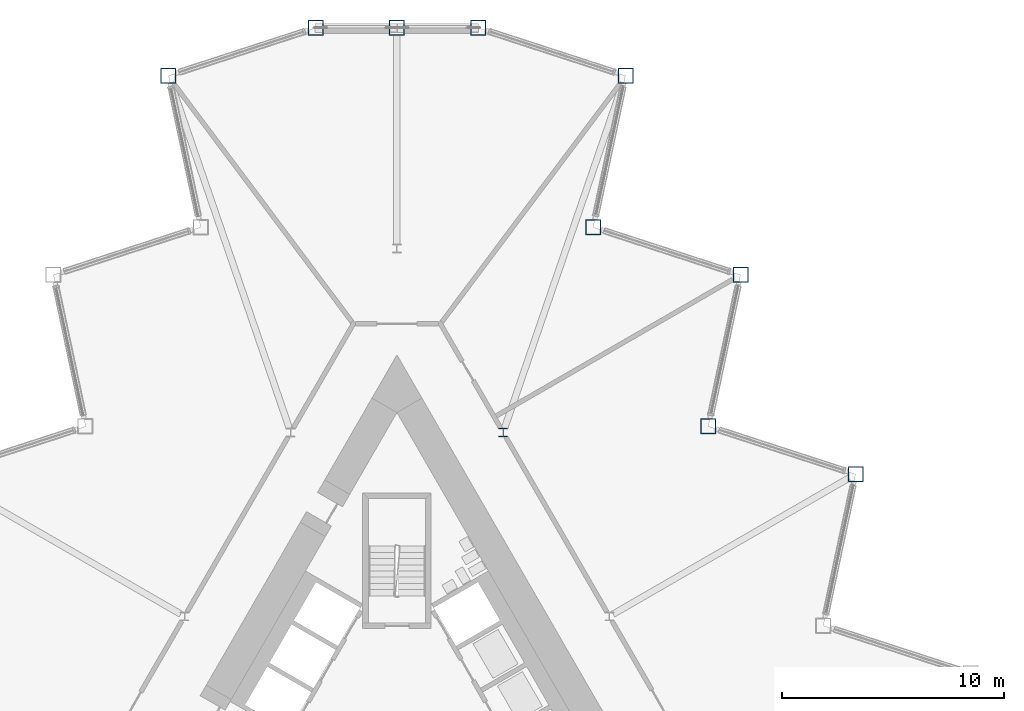
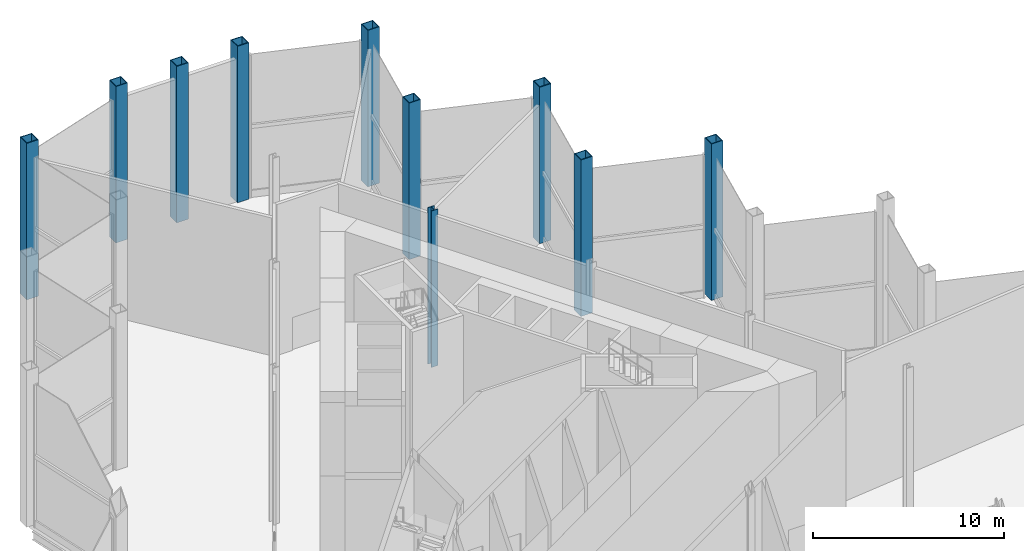
# One storey, part 3 of 17: 10 columns.
"""IFC4 building model written with IfcOpenShell, lengths in metres."""

from ifc_helpers import new_model, si_unit, direction, frame, origin, origin_2d, place, context, subcontext, project, spatial, hollow_rectangle, i_section, extrude, material, material_profile, profile_set, type_object, element, save


model = new_model("IFC4")

# Units and contexts
model_context = context("Model", 3, precision=1e-05, world=origin(), true_north=direction((0.0, 1.0)))
body_context = subcontext(model_context, "Body", "Model", "MODEL_VIEW")
ifc_project = project(units=[si_unit("LENGTHUNIT", "METRE"), si_unit("AREAUNIT", "SQUARE_METRE"), si_unit("VOLUMEUNIT", "CUBIC_METRE"), si_unit("PLANEANGLEUNIT", "RADIAN"), si_unit("MASSUNIT", "GRAM", prefix="KILO")], contexts=[model_context])

# Site, building, storey
site_placement = place(None, origin())
site = spatial("IfcSite", under=ifc_project, at=site_placement, CompositionType="ELEMENT")
building_placement = place(site_placement, origin())
building = spatial("IfcBuilding", under=site, at=building_placement, Name="Cormorant Prow Tower", CompositionType="ELEMENT")
storey_placement = place(building_placement, frame((0.0, 0.0, 277.800048828125)))
storey = spatial("IfcBuildingStorey", under=building, at=storey_placement, Name="L63", CompositionType="ELEMENT", Elevation=277.800048828125)

# Columns
ifc_material_1 = material(Name="Structural steel ASTM A572 Gr 50", Category="steel")
ifc_material_profile_1 = material_profile(ifc_material_1, hollow_rectangle(XDim=0.699951171875, YDim=0.699951171875, WallThickness=0.044921875, at=origin_2d()), Name="Box 700x700x45")
ifc_profile_set_1 = profile_set([ifc_material_profile_1], Name="Structural steel ASTM A572 Gr 50")
column_type_1 = type_object("IfcColumnType", Name="Perimeter box column 700x700x45", PredefinedType="COLUMN", material=ifc_profile_set_1)
for number, where, z_axis, x_axis, name in (
    (1, (20.686767578125, 11.943359375, 0.0), (0.0, 0.0, 1.0), (1.0, 0.0, 0.0), "Perimeter column C5 at ENE05 L63"),
    (2, (14.046875, 14.100830078125, 0.0), (0.0, 0.0, 1.0), (1.0, 0.0, 0.0), "Perimeter column C5 at ENE06 L63"),
    (3, (15.49853515625, 20.9296875, 0.0), (0.0, 0.0, 1.0), (1.0, 0.0, 0.0), "Perimeter column C5 at ENE07 L63"),
    (4, (8.858642578125, 23.087158203125, 0.0), (0.0, 0.0, 1.0), (1.0, 0.0, 0.0), "Perimeter column C5 at ENE08 L63"),
    (5, (10.310302734375, 29.916015625, 0.0), (0.0, 0.0, 1.0), (1.0, 0.0, 0.0), "Perimeter column C5 at ENE09 L63"),
    (6, (3.67041015625, 32.073486328125, 0.0), (0.0, 0.0, 1.0), (1.0, 0.0, 0.0), "Perimeter column C5 at N00 L63"),
    (7, (0.0, 32.073486328125, 0.0), (0.0, 0.0, 1.0), (1.0, 0.0, 0.0), "Perimeter column C5 at N01 L63"),
    (8, (-3.67041015625, 32.073486328125, 0.0), (0.0, 0.0, 1.0), (1.0, 0.0, 0.0), "Perimeter column C5 at WNW00 L63"),
    (9, (-10.310302734375, 29.916015625, 0.0), (0.0, 0.0, 1.0), (1.0, 0.0, 0.0), "Perimeter column C5 at WNW01 L63"),
):
    element("IfcColumn", number, at=place(storey_placement, frame(where, z_axis=z_axis, x_axis=x_axis)), inside=storey, type_object=column_type_1, Name=name, PredefinedType="COLUMN", context=body_context, shape_type="SweptSolid", body=[
        extrude(hollow_rectangle(XDim=0.699951171875, YDim=0.699951171875, WallThickness=0.044921875, at=origin_2d()), origin(), (0.0, 0.0, 1.0), 10.0),
    ])
ifc_material_2 = material(Name="Structural steel ASTM A992 Gr 50", Category="steel")
ifc_material_profile_2 = material_profile(ifc_material_2, i_section(OverallWidth=0.39892578125, OverallDepth=0.393310546875, WebThickness=0.022705078125, FlangeThickness=0.03662109375, at=origin_2d()), Name="W14x193")
ifc_profile_set_2 = profile_set([ifc_material_profile_2], Name="Structural steel ASTM A992 Gr 50")
column_type_2 = type_object("IfcColumnType", Name="Ring column W14x193", PredefinedType="COLUMN", material=ifc_profile_set_2)
column_placement = place(storey_placement, frame((4.789306640625, 13.8251953125, 0.0), z_axis=(0.0, 0.0, 1.0), x_axis=(1.0, 0.0, 0.0)))
element("IfcColumn", 10, at=column_placement, inside=storey, type_object=column_type_2, Name="Ring column 12 L63", PredefinedType="COLUMN", context=body_context, shape_type="SweptSolid", body=[
    extrude(i_section(OverallWidth=0.39892578125, OverallDepth=0.393310546875, WebThickness=0.022705078125, FlangeThickness=0.03662109375, at=origin_2d()), origin(), (0.0, 0.0, 1.0), 10.0),
])

save(model, "model.ifc")
